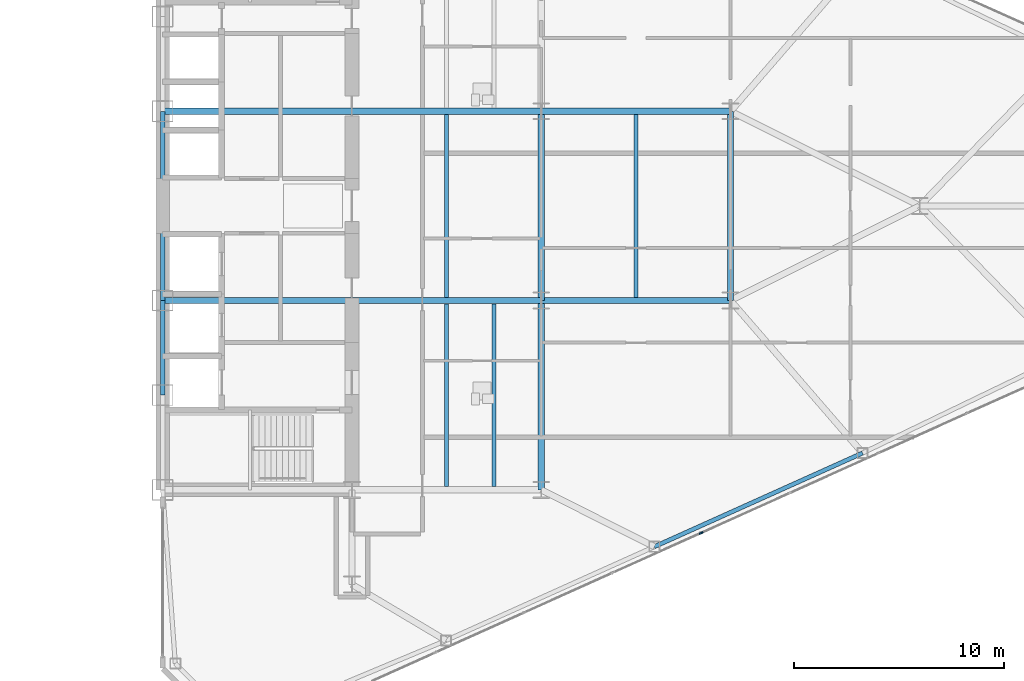
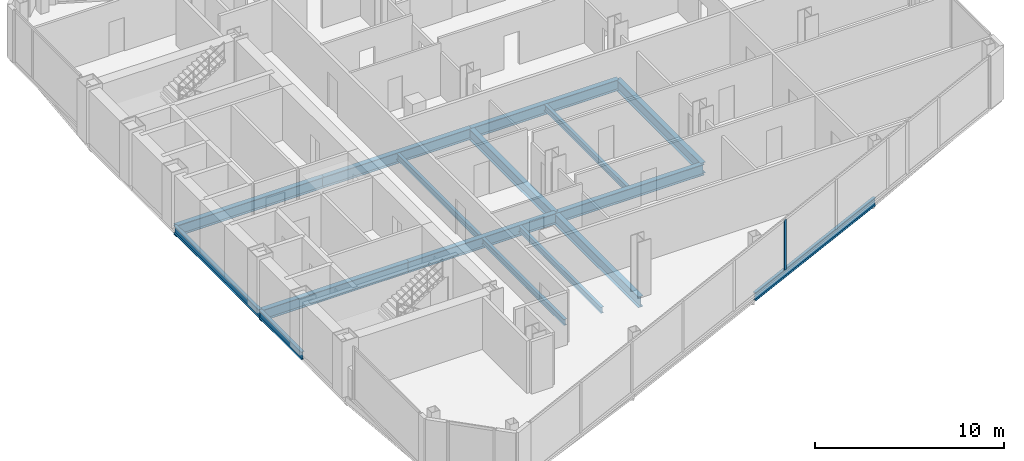
# One storey, part 12 of 27: 16 beams, 1 member, 1 element without a shape of its own.
"""IFC4 building model written with IfcOpenShell, lengths in metres."""

from ifc_helpers import new_model, si_unit, direction, frame, origin, origin_2d, place, context, subcontext, project, spatial, rectangle, i_section, extrude, source, transform, mapped, material, layer, layer_set, material_profile, profile_set, type_object, type_shapes, element, aggregate, save


model = new_model("IFC4")

# Units and contexts
model_context = context("Model", 3, precision=1e-05, world=origin(), true_north=direction((0.0, 1.0)))
body_context = subcontext(model_context, "Body", "Model", "MODEL_VIEW")
ifc_project = project(units=[si_unit("LENGTHUNIT", "METRE"), si_unit("AREAUNIT", "SQUARE_METRE"), si_unit("VOLUMEUNIT", "CUBIC_METRE"), si_unit("PLANEANGLEUNIT", "RADIAN"), si_unit("MASSUNIT", "GRAM", prefix="KILO")], contexts=[model_context])

# Site, building, storey
site_placement = place(None, origin())
site = spatial("IfcSite", under=ifc_project, at=site_placement, CompositionType="ELEMENT")
building_placement = place(site_placement, origin())
building = spatial("IfcBuilding", under=site, at=building_placement, Name="Seokmaru Belvedere", CompositionType="ELEMENT")
storey_placement = place(building_placement, frame((0.0, 0.0, 106.800048828125)))
storey = spatial("IfcBuildingStorey", under=building, at=storey_placement, Name="L28", CompositionType="ELEMENT", Elevation=106.800048828125)

# Beams
ifc_material_1 = material(Name="Steel SM355 (355 MPa)", Category="steel")
ifc_material_profile_1 = material_profile(ifc_material_1, i_section(OverallWidth=0.199951171875, OverallDepth=0.5, WebThickness=0.010009765625, FlangeThickness=0.01611328125, at=origin_2d()), Name="H-500x200x10x16")
ifc_profile_set_1 = profile_set([ifc_material_profile_1], Name="Steel SM355 (355 MPa)")
beam_type_1 = type_object("IfcBeamType", Name="Perimeter Spandrel Beam H-500", PredefinedType="SPANDREL", material=ifc_profile_set_1)
shared_shape_1 = source(origin(), body_context, "Body", "SweptSolid", [
    extrude(i_section(OverallWidth=0.199951171875, OverallDepth=0.5, WebThickness=0.010009765625, FlangeThickness=0.01611328125, at=origin_2d()), origin(), (0.0, 0.0, 1.0), 4.5),
])
beam_1_placement = place(storey_placement, frame((27.5, -9.0, -0.469970703125), z_axis=(0.0, 1.0, 0.0), x_axis=(-1.0, 0.0, 0.0)))
element("IfcBeam", 1, at=beam_1_placement, inside=storey, type_object=beam_type_1, Name="L28 E Portal Spine Spandrel 2", PredefinedType="SPANDREL", context=body_context, shape_type="MappedRepresentation", body=[
    mapped(shared_shape_1, transform((0.0, 0.0, 0.0), scale=1.0)),
])
shared_shape_2 = source(origin(), body_context, "Body", "SweptSolid", [
    extrude(i_section(OverallWidth=0.199951171875, OverallDepth=0.5, WebThickness=0.010009765625, FlangeThickness=0.01611328125, at=origin_2d()), origin(), (0.0, 0.0, 1.0), 9.0),
])
beam_2_placement = place(storey_placement, frame((27.5, -4.5, -0.469970703125), z_axis=(0.0, 1.0, 0.0), x_axis=(-1.0, 0.0, 0.0)))
element("IfcBeam", 2, at=beam_2_placement, inside=storey, type_object=beam_type_1, Name="L28 E Portal Spine Spandrel 3", PredefinedType="SPANDREL", context=body_context, shape_type="MappedRepresentation", body=[
    mapped(shared_shape_2, transform((0.0, 0.0, 0.0), scale=1.0)),
])
ifc_material_profile_2 = material_profile(ifc_material_1, i_section(OverallWidth=0.300048828125, OverallDepth=0.699951171875, WebThickness=0.012939453125, FlangeThickness=0.02392578125, at=origin_2d()), Name="H-700x300x13x24")
ifc_profile_set_2 = profile_set([ifc_material_profile_2], Name="Steel SM355 (355 MPa)")
beam_type_2 = type_object("IfcBeamType", Name="Primary Floor Girder H-700", PredefinedType="BEAM", material=ifc_profile_set_2)
shared_shape_3 = source(origin(), body_context, "Body", "SweptSolid", [
    extrude(i_section(OverallWidth=0.300048828125, OverallDepth=0.699951171875, WebThickness=0.012939453125, FlangeThickness=0.02392578125, at=origin_2d()), origin(), (0.0, 0.0, 1.0), 9.0),
])
type_shapes(beam_type_2, [shared_shape_3])
for number, where, z_axis, x_axis, name in (
    (3, (45.5, -13.5, -0.570068359375), (0.0, 1.0, 0.0), (-1.0, 0.0, 0.0), "L28 E Interior Grid Girder 1"),
    (4, (45.5, -4.5, -0.570068359375), (0.0, 1.0, 0.0), (-1.0, 0.0, 0.0), "L28 E Interior Grid Girder 2"),
    (5, (27.5, -4.5, -0.570068359375), (1.0, 0.0, 0.0), (0.0, 1.0, 0.0), "L28 E Core Tie Girder 2"),
    (6, (36.5, -4.5, -0.570068359375), (1.0, 0.0, 0.0), (0.0, 1.0, 0.0), "L28 E Wing Primary Girder 2"),
    (7, (27.5, 4.5, -0.570068359375), (1.0, 0.0, 0.0), (0.0, 1.0, 0.0), "L28 E Core Tie Girder 3"),
    (8, (36.5, 4.5, -0.570068359375), (1.0, 0.0, 0.0), (0.0, 1.0, 0.0), "L28 E Wing Primary Girder 3"),
    (9, (45.5, -4.5, -0.570068359375), (1.0, 0.0, 0.0), (0.0, 1.0, 0.0), "L28 E Outer Wing Girder 1"),
    (10, (45.5, 4.5, -0.570068359375), (1.0, 0.0, 0.0), (0.0, 1.0, 0.0), "L28 E Outer Wing Girder 2"),
    (11, (54.5, -4.5, -0.570068359375), (0.0, 1.0, 0.0), (-1.0, 0.0, 0.0), "L28 E Apex Frame Girder"),
):
    element("IfcBeam", number, at=place(storey_placement, frame(where, z_axis=z_axis, x_axis=x_axis)), inside=storey, type_object=beam_type_2, Name=name, PredefinedType="BEAM", context=body_context, shape_type="MappedRepresentation", body=[
        mapped(shared_shape_3, transform((0.0, 0.0, 0.0), scale=1.0)),
    ])
ifc_material_profile_3 = material_profile(ifc_material_1, i_section(OverallWidth=0.18505859375, OverallDepth=0.389892578125, WebThickness=0.008056640625, FlangeThickness=0.011962890625, at=origin_2d()), Name="H-390x185x8x12")
ifc_profile_set_3 = profile_set([ifc_material_profile_3], Name="Steel SM355 (355 MPa)")
beam_type_3 = type_object("IfcBeamType", Name="Secondary Floor Joist H-350", PredefinedType="JOIST", material=ifc_profile_set_3)
shared_shape_4 = source(origin(), body_context, "Body", "SweptSolid", [
    extrude(i_section(OverallWidth=0.18505859375, OverallDepth=0.389892578125, WebThickness=0.008056640625, FlangeThickness=0.011962890625, at=origin_2d()), origin(), (0.0, 0.0, 1.0), 8.68994140625),
])
type_shapes(beam_type_3, [shared_shape_4])
for number, where, z_axis, x_axis, name in (
    (12, (43.25, -13.344970703125, -0.4150390625), (0.0, 1.0, 0.0), (-1.0, 0.0, 0.0), "L28 E Wing Inner Secondary Joist 1"),
    (13, (41.0, -13.344970703125, -0.4150390625), (0.0, 1.0, 0.0), (-1.0, 0.0, 0.0), "L28 E Secondary Floor Joist 1"),
    (14, (41.0, -4.344970703125, -0.4150390625), (0.0, 1.0, 0.0), (-1.0, 0.0, 0.0), "L28 E Secondary Floor Joist 2"),
    (15, (50.0, -4.344970703125, -0.4150390625), (0.0, 1.0, 0.0), (-1.0, 0.0, 0.0), "L28 E Outer Bay Secondary Joist"),
):
    element("IfcBeam", number, at=place(storey_placement, frame(where, z_axis=z_axis, x_axis=x_axis)), inside=storey, type_object=beam_type_3, Name=name, PredefinedType="JOIST", context=body_context, shape_type="MappedRepresentation", body=[
        mapped(shared_shape_4, transform((0.0, 0.0, 0.0), scale=1.0)),
    ])
shared_shape_5 = source(origin(), body_context, "Body", "SweptSolid", [
    extrude(i_section(OverallWidth=0.199951171875, OverallDepth=0.5, WebThickness=0.010009765625, FlangeThickness=0.01611328125, at=origin_2d()), origin(), (0.0, 0.0, 1.0), 10.85888671875),
])
type_shapes(beam_type_1, [shared_shape_1, shared_shape_2, shared_shape_5])
beam_3_placement = place(storey_placement, frame((50.875, -16.205322265625, -0.469970703125), z_axis=(0.911925291223, 0.410356263785, 0.0), x_axis=(-0.410356263785, 0.911925291223, 0.0)))
element("IfcBeam", 16, at=beam_3_placement, inside=storey, type_object=beam_type_1, Name="L28 E Faceted Flank Spandrel S-3", PredefinedType="SPANDREL", context=body_context, shape_type="MappedRepresentation", body=[
    mapped(shared_shape_5, transform((0.0, 0.0, 0.0), scale=1.0)),
])

# Curtain wall, member
ifc_material_2 = material(Name="Bronze Triple Insulating Glass", Category="glass")
ifc_layer = layer(ifc_material_2, 0.195068359375)
ifc_layer_set = layer_set([ifc_layer], Name="Bronze Triple Insulating Glass")
curtain_wall_type = type_object("IfcCurtainWallType", Name="Lower-Mid Tapered Curtain Wall System CW-3", PredefinedType="NOTDEFINED", material=ifc_layer_set)
curtain_wall_placement = place(storey_placement, origin())
curtain_wall = element("IfcCurtainWall", 17, at=curtain_wall_placement, inside=storey, type_object=curtain_wall_type, Name="L28 Curtain Wall EF1", PredefinedType="NOTDEFINED")
ifc_material_3 = material(Name="Anodised Bronze Aluminium", Category="aluminium")
ifc_material_profile_4 = material_profile(ifc_material_3, rectangle(XDim=0.070068359375, YDim=0.195068359375, at=origin_2d()), Name="CW-M-70x195")
ifc_profile_set_4 = profile_set([ifc_material_profile_4], Name="Anodised Bronze Aluminium")
member_type = type_object("IfcMemberType", Name="Bronze Unitised Mullion 70x195", PredefinedType="MULLION", material=ifc_profile_set_4)
shared_shape_6 = source(origin(), body_context, "Body", "SweptSolid", [
    extrude(rectangle(XDim=0.070068359375, YDim=0.195068359375, at=origin_2d()), origin(), (0.0, 0.0, 1.0), 3.239990234375),
])
type_shapes(member_type, [shared_shape_6])
member_placement = place(storey_placement, frame((53.105712890625, -15.552490234375, 0.070068359375), z_axis=(0.0, 0.0, 1.0), x_axis=(-0.41036554765, 0.91192111353, 0.0)))
member = element("IfcMember", 18, at=member_placement, type_object=member_type, Name="CW:L28:EF1 Mullion 6", PredefinedType="MULLION", context=body_context, shape_type="MappedRepresentation", body=[
    mapped(shared_shape_6, transform((0.0, 0.0, 0.0), scale=1.0)),
])
aggregate(curtain_wall, [member])

save(model, "model.ifc")
